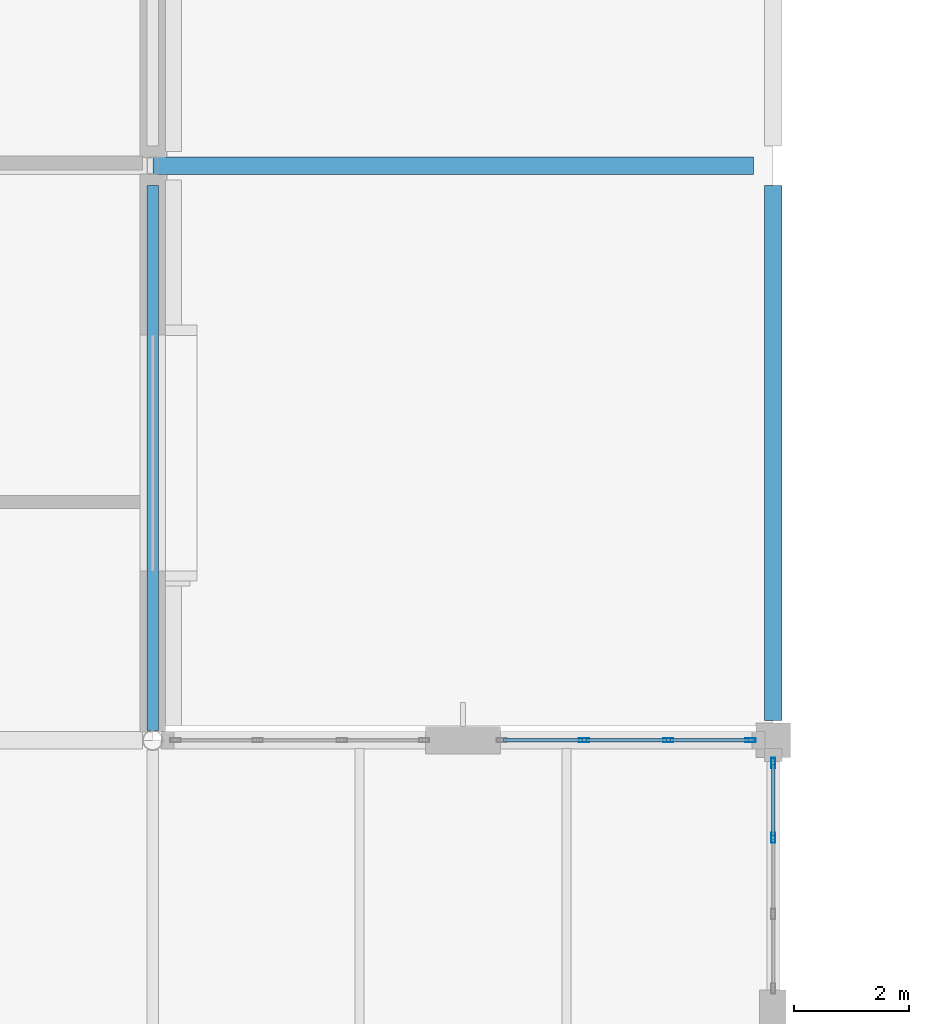
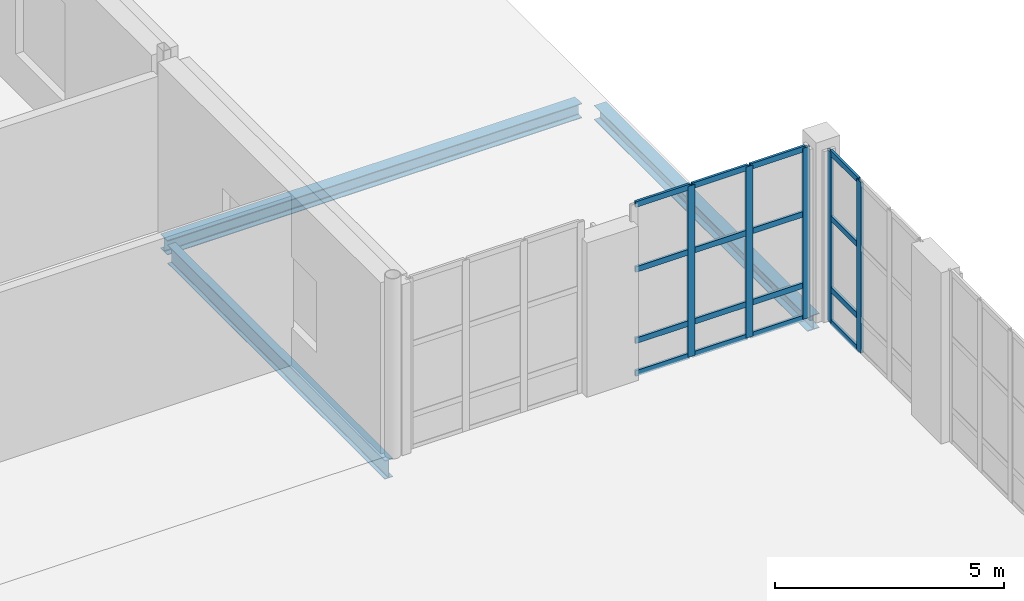
# One storey, part 53 of 100: 21 members, 3 beams, 2 elements without a shape of their own.
"""IFC4 building model written with IfcOpenShell, lengths in metres."""

from ifc_helpers import new_model, si_unit, direction, frame, origin, origin_2d, place, context, subcontext, project, spatial, hollow_rectangle, i_section, extrude, material, layer, layer_set, material_profile, profile_set, type_object, element, aggregate, save


model = new_model("IFC4")

# Units and contexts
model_context = context("Model", 3, precision=1e-05, world=origin(), true_north=direction((0.0, 1.0)))
body_context = subcontext(model_context, "Body", "Model", "MODEL_VIEW")
ifc_project = project(units=[si_unit("LENGTHUNIT", "METRE"), si_unit("AREAUNIT", "SQUARE_METRE"), si_unit("VOLUMEUNIT", "CUBIC_METRE"), si_unit("PLANEANGLEUNIT", "RADIAN"), si_unit("MASSUNIT", "GRAM", prefix="KILO")], contexts=[model_context])

# Site, building, storey
site_placement = place(None, origin())
site = spatial("IfcSite", under=ifc_project, at=site_placement, CompositionType="ELEMENT")
building_placement = place(site_placement, origin())
building = spatial("IfcBuilding", under=site, at=building_placement, Name="Tasgan Crest Museum", CompositionType="ELEMENT")
storey_placement = place(building_placement, frame((0.0, 0.0, 9.60009765625)))
storey = spatial("IfcBuildingStorey", under=building, at=storey_placement, Name="L02", CompositionType="ELEMENT", Elevation=9.60009765625)

# Beams
ifc_material_1 = material(Name="Steel S355J2", Category="steel")
ifc_material_profile_1 = material_profile(ifc_material_1, i_section(OverallWidth=0.300048828125, OverallDepth=0.389892578125, WebThickness=0.010986328125, FlangeThickness=0.01904296875, FilletRadius=0.027099609375, at=origin_2d()), Name="HEA 400")
ifc_profile_set_1 = profile_set([ifc_material_profile_1], Name="Steel S355J2")
beam_type_1 = type_object("IfcBeamType", Name="BM-G-HEA400", PredefinedType="BEAM", material=ifc_profile_set_1)
beam_1_placement = place(storey_placement, frame((97.205322265625, 92.0, -0.47509765625), z_axis=(1.0, 0.0, 0.0), x_axis=(0.0, 1.0, 0.0)))
element("IfcBeam", 1, at=beam_1_placement, inside=storey, type_object=beam_type_1, Name="North-east lower gallery sloped roof girder K 97.2", PredefinedType="BEAM", context=body_context, shape_type="SweptSolid", body=[
    extrude(i_section(OverallWidth=0.300048828125, OverallDepth=0.389892578125, WebThickness=0.010986328125, FlangeThickness=0.01904296875, FilletRadius=0.027099609375, at=origin_2d()), origin(), (0.0, 0.0, 1.0), 10.44873046875),
])
beam_2_placement = place(storey_placement, frame((108.0, 82.344970703125, -0.47509765625), z_axis=(0.0, 1.0, 0.0), x_axis=(-1.0, 0.0, 0.0)))
element("IfcBeam", 2, at=beam_2_placement, inside=storey, type_object=beam_type_1, Name="North-east lower gallery sloped roof beam 11 82.0", PredefinedType="BEAM", context=body_context, shape_type="SweptSolid", body=[
    extrude(i_section(OverallWidth=0.300048828125, OverallDepth=0.389892578125, WebThickness=0.010986328125, FlangeThickness=0.01904296875, FilletRadius=0.027099609375, at=origin_2d()), origin(), (0.0, 0.0, 1.0), 9.31005859375),
])
ifc_material_2 = material(Name="Steel S355J2", Category="steel")
ifc_material_profile_2 = material_profile(ifc_material_2, i_section(OverallWidth=0.199951171875, OverallDepth=0.5, WebThickness=0.01025390625, FlangeThickness=0.01611328125, FilletRadius=0.02099609375, at=origin_2d()), Name="IPE 500")
ifc_profile_set_2 = profile_set([ifc_material_profile_2], Name="Steel S355J2")
beam_type_2 = type_object("IfcBeamType", Name="BM-G-IPE500", PredefinedType="BEAM", material=ifc_profile_set_2)
beam_3_placement = place(storey_placement, frame((97.199951171875, 82.1728515625, -0.489990234375), z_axis=(0.0, 1.0, 0.0), x_axis=(-1.0, 0.0, 0.0)))
element("IfcBeam", 3, at=beam_3_placement, inside=storey, type_object=beam_type_2, Name="Beam L02 10 82.0-92.0", PredefinedType="BEAM", context=body_context, shape_type="SweptSolid", body=[
    extrude(i_section(OverallWidth=0.199951171875, OverallDepth=0.5, WebThickness=0.01025390625, FlangeThickness=0.01611328125, FilletRadius=0.02099609375, at=origin_2d()), origin(), (0.0, 0.0, 1.0), 9.487060546875),
])

# Curtain wall, members
ifc_material_3 = material(Name="Triple-Glazed Aluminium Curtain Wall", Category="aluminium")
ifc_layer_1 = layer(ifc_material_3, 0.179931640625, Name="CW-DRUM-Y10-48")
ifc_layer_set_1 = layer_set([ifc_layer_1], Name="Triple-Glazed Aluminium Curtain Wall")
curtain_wall_type_1 = type_object("IfcCurtainWallType", Name="CW-DRUM-Y10-48", PredefinedType="NOTDEFINED", material=ifc_layer_set_1)
curtain_wall_1_placement = place(storey_placement, origin())
curtain_wall_1 = element("IfcCurtainWall", 4, at=curtain_wall_1_placement, inside=storey, type_object=curtain_wall_type_1, Name="Curtain wall L02 078", PredefinedType="NOTDEFINED")
ifc_material_4 = material(Name="Anodised Aluminium", Category="aluminium")
ifc_material_profile_3 = material_profile(ifc_material_4, hollow_rectangle(XDim=0.06494140625, YDim=0.179931640625, WallThickness=0.0048828125, at=origin_2d()), Name="ALU MULLION 180x65x5")
ifc_profile_set_3 = profile_set([ifc_material_profile_3], Name="Anodised Aluminium")
member_type_1 = type_object("IfcMemberType", Name="CW-MULLION-180", PredefinedType="MULLION", material=ifc_profile_set_3)
member_1_placement = place(storey_placement, frame((108.0, 80.304931640625, 0.0), z_axis=(0.0, 0.0, 1.0), x_axis=(-1.0, 0.0, 0.0)))
member_1 = element("IfcMember", 5, at=member_1_placement, type_object=member_type_1, Name="CW04 mullion 3", PredefinedType="MULLION", context=body_context, shape_type="SweptSolid", body=[
    extrude(hollow_rectangle(XDim=0.06494140625, YDim=0.179931640625, WallThickness=0.0048828125, at=origin_2d()), origin(), (0.0, 0.0, 1.0), 4.559814453125),
])
member_2_placement = place(storey_placement, frame((108.0, 81.60498046875, 0.0), z_axis=(0.0, 0.0, 1.0), x_axis=(-1.0, 0.0, 0.0)))
member_2 = element("IfcMember", 6, at=member_2_placement, type_object=member_type_1, Name="CW04 mullion 4", PredefinedType="MULLION", context=body_context, shape_type="SweptSolid", body=[
    extrude(hollow_rectangle(XDim=0.06494140625, YDim=0.179931640625, WallThickness=0.0048828125, at=origin_2d()), origin(), (0.0, 0.0, 1.0), 4.559814453125),
])

ifc_material_5 = material(Name="Triple-Glazed Aluminium Curtain Wall", Category="aluminium")
ifc_layer_2 = layer(ifc_material_5, 0.179931640625, Name="CW-DRUM-X-48")
ifc_layer_set_2 = layer_set([ifc_layer_2], Name="Triple-Glazed Aluminium Curtain Wall")
curtain_wall_type_2 = type_object("IfcCurtainWallType", Name="CW-DRUM-X-48", PredefinedType="NOTDEFINED", material=ifc_layer_set_2)
curtain_wall_2_placement = place(storey_placement, origin())
curtain_wall_2 = element("IfcCurtainWall", 7, at=curtain_wall_2_placement, inside=storey, type_object=curtain_wall_type_2, Name="Curtain wall L02 079", PredefinedType="NOTDEFINED")
member_3_placement = place(storey_placement, frame((107.60498046875, 82.0, 0.0), z_axis=(0.0, 0.0, 1.0), x_axis=(0.0, -1.0, 0.0)))
member_3 = element("IfcMember", 8, at=member_3_placement, type_object=member_type_1, Name="CW03 mullion 1", PredefinedType="MULLION", context=body_context, shape_type="SweptSolid", body=[
    extrude(hollow_rectangle(XDim=0.06494140625, YDim=0.179931640625, WallThickness=0.0048828125, at=origin_2d()), origin(), (0.0, 0.0, 1.0), 4.559814453125),
])
member_4_placement = place(storey_placement, frame((106.171630859375, 82.0, 0.0), z_axis=(0.0, 0.0, 1.0), x_axis=(0.0, -1.0, 0.0)))
member_4 = element("IfcMember", 9, at=member_4_placement, type_object=member_type_1, Name="CW03 mullion 2", PredefinedType="MULLION", context=body_context, shape_type="SweptSolid", body=[
    extrude(hollow_rectangle(XDim=0.06494140625, YDim=0.179931640625, WallThickness=0.0048828125, at=origin_2d()), origin(), (0.0, 0.0, 1.0), 4.559814453125),
])
member_5_placement = place(storey_placement, frame((104.708251953125, 82.0, 0.0), z_axis=(0.0, 0.0, 1.0), x_axis=(0.0, -1.0, 0.0)))
member_5 = element("IfcMember", 10, at=member_5_placement, type_object=member_type_1, Name="CW03 mullion 3", PredefinedType="MULLION", context=body_context, shape_type="SweptSolid", body=[
    extrude(hollow_rectangle(XDim=0.06494140625, YDim=0.179931640625, WallThickness=0.0048828125, at=origin_2d()), origin(), (0.0, 0.0, 1.0), 4.559814453125),
])

# Member
ifc_material_6 = material(Name="Anodised Aluminium", Category="aluminium")
ifc_material_profile_4 = material_profile(ifc_material_6, hollow_rectangle(XDim=0.06005859375, YDim=0.14990234375, WallThickness=0.0048828125, at=origin_2d()), Name="ALU TRANSOM 150x60x5")
ifc_profile_set_4 = profile_set([ifc_material_profile_4], Name="Anodised Aluminium")
member_type_2 = type_object("IfcMemberType", Name="CW-TRANSOM-150", PredefinedType="USERDEFINED", material=ifc_profile_set_4)
member_6_placement = place(storey_placement, frame((108.0, 80.3349609375, 0.02978515625), z_axis=(0.0, 1.0, 0.0), x_axis=(-1.0, 0.0, 0.0)))
member_6 = element("IfcMember", 11, at=member_6_placement, type_object=member_type_2, Name="CW04 transom 3.1", ObjectType="TRANSOM", PredefinedType="USERDEFINED", context=body_context, shape_type="SweptSolid", body=[
    extrude(hollow_rectangle(XDim=0.06005859375, YDim=0.14990234375, WallThickness=0.0048828125, at=origin_2d()), origin(), (0.0, 0.0, 1.0), 1.239990234375),
])

member_7_placement = place(storey_placement, frame((108.0, 80.3349609375, 0.89990234375), z_axis=(0.0, 1.0, 0.0), x_axis=(-1.0, 0.0, 0.0)))
member_7 = element("IfcMember", 12, at=member_7_placement, type_object=member_type_2, Name="CW04 transom 3.2", ObjectType="TRANSOM", PredefinedType="USERDEFINED", context=body_context, shape_type="SweptSolid", body=[
    extrude(hollow_rectangle(XDim=0.06005859375, YDim=0.14990234375, WallThickness=0.0048828125, at=origin_2d()), origin(), (0.0, 0.0, 1.0), 1.239990234375),
])

member_8_placement = place(storey_placement, frame((108.0, 80.3349609375, 2.7998046875), z_axis=(0.0, 1.0, 0.0), x_axis=(-1.0, 0.0, 0.0)))
member_8 = element("IfcMember", 13, at=member_8_placement, type_object=member_type_2, Name="CW04 transom 3.3", ObjectType="TRANSOM", PredefinedType="USERDEFINED", context=body_context, shape_type="SweptSolid", body=[
    extrude(hollow_rectangle(XDim=0.06005859375, YDim=0.14990234375, WallThickness=0.0048828125, at=origin_2d()), origin(), (0.0, 0.0, 1.0), 1.239990234375),
])

member_9_placement = place(storey_placement, frame((108.0, 80.3349609375, 4.52978515625), z_axis=(0.0, 1.0, 0.0), x_axis=(-1.0, 0.0, 0.0)))
member_9 = element("IfcMember", 14, at=member_9_placement, type_object=member_type_2, Name="CW04 transom 3.4", ObjectType="TRANSOM", PredefinedType="USERDEFINED", context=body_context, shape_type="SweptSolid", body=[
    extrude(hollow_rectangle(XDim=0.06005859375, YDim=0.14990234375, WallThickness=0.0048828125, at=origin_2d()), origin(), (0.0, 0.0, 1.0), 1.239990234375),
])

aggregate(curtain_wall_1, [member_1, member_2, member_6, member_7, member_8, member_9])

member_10_placement = place(storey_placement, frame((107.574951171875, 82.0, 0.02978515625), z_axis=(-1.0, 0.0, 0.0), x_axis=(0.0, -1.0, 0.0)))
member_10 = element("IfcMember", 15, at=member_10_placement, type_object=member_type_2, Name="CW03 transom 1.1", ObjectType="TRANSOM", PredefinedType="USERDEFINED", context=body_context, shape_type="SweptSolid", body=[
    extrude(hollow_rectangle(XDim=0.06005859375, YDim=0.14990234375, WallThickness=0.0048828125, at=origin_2d()), origin(), (0.0, 0.0, 1.0), 1.373291015625),
])

member_11_placement = place(storey_placement, frame((107.574951171875, 82.0, 0.89990234375), z_axis=(-1.0, 0.0, 0.0), x_axis=(0.0, -1.0, 0.0)))
member_11 = element("IfcMember", 16, at=member_11_placement, type_object=member_type_2, Name="CW03 transom 1.2", ObjectType="TRANSOM", PredefinedType="USERDEFINED", context=body_context, shape_type="SweptSolid", body=[
    extrude(hollow_rectangle(XDim=0.06005859375, YDim=0.14990234375, WallThickness=0.0048828125, at=origin_2d()), origin(), (0.0, 0.0, 1.0), 1.373291015625),
])

member_12_placement = place(storey_placement, frame((107.574951171875, 82.0, 2.7998046875), z_axis=(-1.0, 0.0, 0.0), x_axis=(0.0, -1.0, 0.0)))
member_12 = element("IfcMember", 17, at=member_12_placement, type_object=member_type_2, Name="CW03 transom 1.3", ObjectType="TRANSOM", PredefinedType="USERDEFINED", context=body_context, shape_type="SweptSolid", body=[
    extrude(hollow_rectangle(XDim=0.06005859375, YDim=0.14990234375, WallThickness=0.0048828125, at=origin_2d()), origin(), (0.0, 0.0, 1.0), 1.373291015625),
])

member_13_placement = place(storey_placement, frame((107.574951171875, 82.0, 4.52978515625), z_axis=(-1.0, 0.0, 0.0), x_axis=(0.0, -1.0, 0.0)))
member_13 = element("IfcMember", 18, at=member_13_placement, type_object=member_type_2, Name="CW03 transom 1.4", ObjectType="TRANSOM", PredefinedType="USERDEFINED", context=body_context, shape_type="SweptSolid", body=[
    extrude(hollow_rectangle(XDim=0.06005859375, YDim=0.14990234375, WallThickness=0.0048828125, at=origin_2d()), origin(), (0.0, 0.0, 1.0), 1.373291015625),
])

member_14_placement = place(storey_placement, frame((106.1416015625, 82.0, 0.02978515625), z_axis=(-1.0, 0.0, 0.0), x_axis=(0.0, -1.0, 0.0)))
member_14 = element("IfcMember", 19, at=member_14_placement, type_object=member_type_2, Name="CW03 transom 2.1", ObjectType="TRANSOM", PredefinedType="USERDEFINED", context=body_context, shape_type="SweptSolid", body=[
    extrude(hollow_rectangle(XDim=0.06005859375, YDim=0.14990234375, WallThickness=0.0048828125, at=origin_2d()), origin(), (0.0, 0.0, 1.0), 1.4033203125),
])

member_15_placement = place(storey_placement, frame((106.1416015625, 82.0, 0.89990234375), z_axis=(-1.0, 0.0, 0.0), x_axis=(0.0, -1.0, 0.0)))
member_15 = element("IfcMember", 20, at=member_15_placement, type_object=member_type_2, Name="CW03 transom 2.2", ObjectType="TRANSOM", PredefinedType="USERDEFINED", context=body_context, shape_type="SweptSolid", body=[
    extrude(hollow_rectangle(XDim=0.06005859375, YDim=0.14990234375, WallThickness=0.0048828125, at=origin_2d()), origin(), (0.0, 0.0, 1.0), 1.4033203125),
])

member_16_placement = place(storey_placement, frame((106.1416015625, 82.0, 2.7998046875), z_axis=(-1.0, 0.0, 0.0), x_axis=(0.0, -1.0, 0.0)))
member_16 = element("IfcMember", 21, at=member_16_placement, type_object=member_type_2, Name="CW03 transom 2.3", ObjectType="TRANSOM", PredefinedType="USERDEFINED", context=body_context, shape_type="SweptSolid", body=[
    extrude(hollow_rectangle(XDim=0.06005859375, YDim=0.14990234375, WallThickness=0.0048828125, at=origin_2d()), origin(), (0.0, 0.0, 1.0), 1.4033203125),
])

member_17_placement = place(storey_placement, frame((106.1416015625, 82.0, 4.52978515625), z_axis=(-1.0, 0.0, 0.0), x_axis=(0.0, -1.0, 0.0)))
member_17 = element("IfcMember", 22, at=member_17_placement, type_object=member_type_2, Name="CW03 transom 2.4", ObjectType="TRANSOM", PredefinedType="USERDEFINED", context=body_context, shape_type="SweptSolid", body=[
    extrude(hollow_rectangle(XDim=0.06005859375, YDim=0.14990234375, WallThickness=0.0048828125, at=origin_2d()), origin(), (0.0, 0.0, 1.0), 1.4033203125),
])

member_18_placement = place(storey_placement, frame((104.67822265625, 82.0, 0.02978515625), z_axis=(-1.0, 0.0, 0.0), x_axis=(0.0, -1.0, 0.0)))
member_18 = element("IfcMember", 23, at=member_18_placement, type_object=member_type_2, Name="CW03 transom 3.1", ObjectType="TRANSOM", PredefinedType="USERDEFINED", context=body_context, shape_type="SweptSolid", body=[
    extrude(hollow_rectangle(XDim=0.06005859375, YDim=0.14990234375, WallThickness=0.0048828125, at=origin_2d()), origin(), (0.0, 0.0, 1.0), 1.373291015625),
])

member_19_placement = place(storey_placement, frame((104.67822265625, 82.0, 0.89990234375), z_axis=(-1.0, 0.0, 0.0), x_axis=(0.0, -1.0, 0.0)))
member_19 = element("IfcMember", 24, at=member_19_placement, type_object=member_type_2, Name="CW03 transom 3.2", ObjectType="TRANSOM", PredefinedType="USERDEFINED", context=body_context, shape_type="SweptSolid", body=[
    extrude(hollow_rectangle(XDim=0.06005859375, YDim=0.14990234375, WallThickness=0.0048828125, at=origin_2d()), origin(), (0.0, 0.0, 1.0), 1.373291015625),
])

member_20_placement = place(storey_placement, frame((104.67822265625, 82.0, 2.7998046875), z_axis=(-1.0, 0.0, 0.0), x_axis=(0.0, -1.0, 0.0)))
member_20 = element("IfcMember", 25, at=member_20_placement, type_object=member_type_2, Name="CW03 transom 3.3", ObjectType="TRANSOM", PredefinedType="USERDEFINED", context=body_context, shape_type="SweptSolid", body=[
    extrude(hollow_rectangle(XDim=0.06005859375, YDim=0.14990234375, WallThickness=0.0048828125, at=origin_2d()), origin(), (0.0, 0.0, 1.0), 1.373291015625),
])

member_21_placement = place(storey_placement, frame((104.67822265625, 82.0, 4.52978515625), z_axis=(-1.0, 0.0, 0.0), x_axis=(0.0, -1.0, 0.0)))
member_21 = element("IfcMember", 26, at=member_21_placement, type_object=member_type_2, Name="CW03 transom 3.4", ObjectType="TRANSOM", PredefinedType="USERDEFINED", context=body_context, shape_type="SweptSolid", body=[
    extrude(hollow_rectangle(XDim=0.06005859375, YDim=0.14990234375, WallThickness=0.0048828125, at=origin_2d()), origin(), (0.0, 0.0, 1.0), 1.373291015625),
])

aggregate(curtain_wall_2, [member_3, member_4, member_5, member_10, member_11, member_12, member_13, member_14, member_15, member_16, member_17, member_18, member_19, member_20, member_21])

save(model, "model.ifc")
